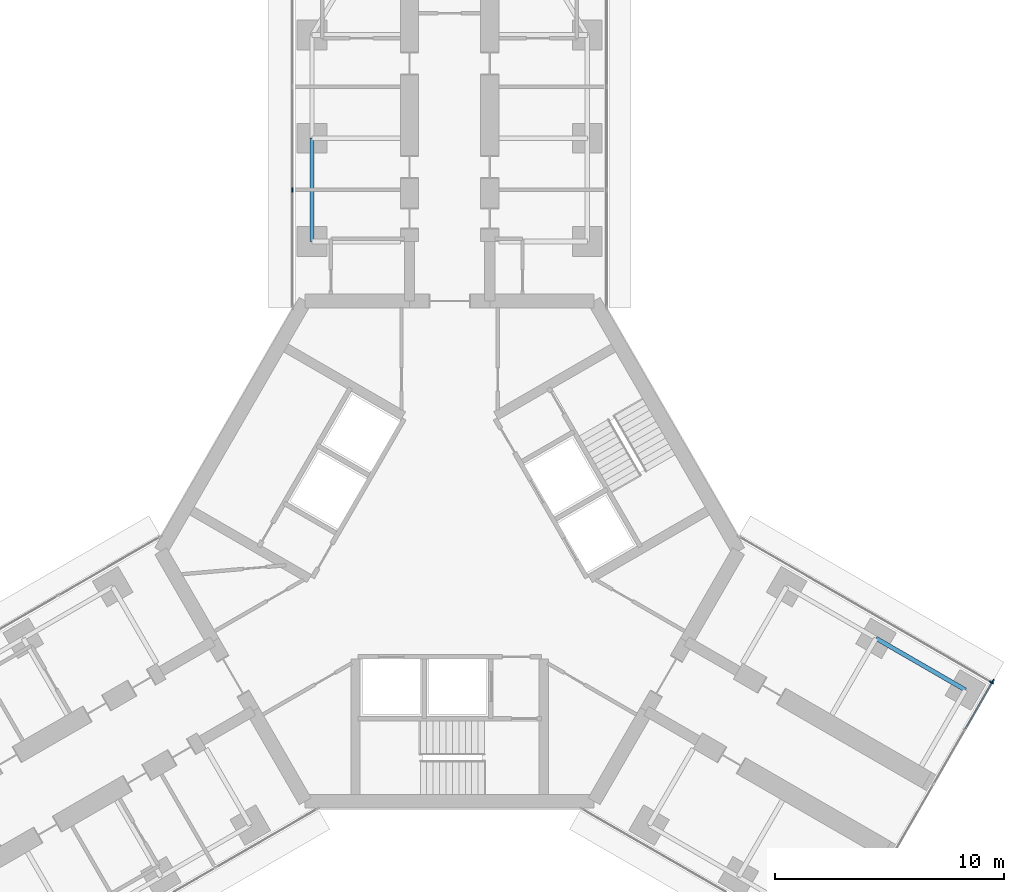
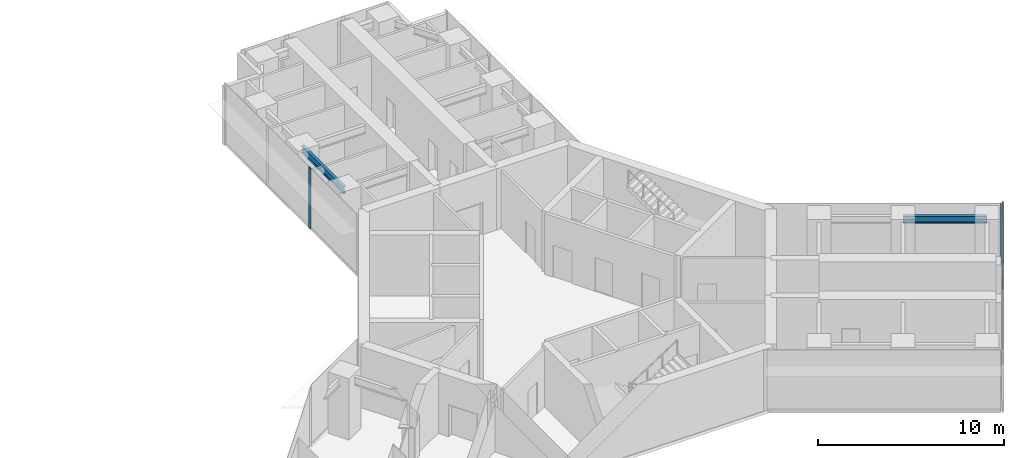
# One storey, part 11 of 22: 4 members, 2 beams, 3 elements without a shape of their own.
"""IFC4 building model written with IfcOpenShell, lengths in metres."""

from ifc_helpers import new_model, si_unit, direction, frame, origin, origin_2d, place, context, subcontext, project, spatial, rectangle, i_section, extrude, material, material_profile, profile_set, type_object, element, aggregate, save


model = new_model("IFC4")

# Units and contexts
model_context = context("Model", 3, precision=1e-05, world=origin(), true_north=direction((0.0, 1.0)))
body_context = subcontext(model_context, "Body", "Model", "MODEL_VIEW")
ifc_project = project(units=[si_unit("LENGTHUNIT", "METRE"), si_unit("AREAUNIT", "SQUARE_METRE"), si_unit("VOLUMEUNIT", "CUBIC_METRE"), si_unit("PLANEANGLEUNIT", "RADIAN"), si_unit("MASSUNIT", "GRAM", prefix="KILO")], contexts=[model_context])

# Site, building, storey
site_placement = place(None, origin())
site = spatial("IfcSite", under=ifc_project, at=site_placement, CompositionType="ELEMENT")
building_placement = place(site_placement, origin())
building = spatial("IfcBuilding", under=site, at=building_placement, Name="Upepo Twin Towers", CompositionType="ELEMENT")
storey_placement = place(building_placement, frame((0.0, 0.0, 133.5)))
storey = spatial("IfcBuildingStorey", under=building, at=storey_placement, Name="L32", CompositionType="ELEMENT", Elevation=133.5)

# Beams
ifc_material_1 = material(Name="Steel S355", Category="steel")
ifc_material_profile_1 = material_profile(ifc_material_1, i_section(OverallWidth=0.1904296875, OverallDepth=0.45703125, WebThickness=0.009033203125, FlangeThickness=0.014404296875, FilletRadius=0.01025390625, at=origin_2d()), Name="UB 457x191x74")
ifc_profile_set_1 = profile_set([ifc_material_profile_1], Name="Steel S355")
beam_type = type_object("IfcBeamType", Name="Beam UB 457x191x74", PredefinedType="BEAM", material=ifc_profile_set_1)
for number, where, z_axis, x_axis, name in (
    (1, (52.5, -4.5, 3.571533203125), (0.0, 1.0, 0.0), (-1.0, 0.0, 0.0), "T2 edge beam AL 13.5-18.0"),
    (2, (77.08837890625, -21.803955078125, 3.571533203125), (0.866031096941, -0.499990139034, 0.0), (0.499990139034, 0.866031096941, 0.0), "T2 edge beam CL 18.0-22.5"),
):
    element("IfcBeam", number, at=place(storey_placement, frame(where, z_axis=z_axis, x_axis=x_axis)), inside=storey, type_object=beam_type, Name=name, PredefinedType="BEAM", context=body_context, shape_type="SweptSolid", body=[
        extrude(i_section(OverallWidth=0.1904296875, OverallDepth=0.45703125, WebThickness=0.009033203125, FlangeThickness=0.014404296875, FilletRadius=0.01025390625, at=origin_2d()), origin(), (0.0, 0.0, 1.0), 4.5),
    ])

# Curtain wall, member
ifc_material_2 = material(Name="Aluminium and fritted glass", Category="aluminium")
curtain_wall_type = type_object("IfcCurtainWallType", Name="Tower curtain wall TW2, fritted glass", PredefinedType="NOTDEFINED", material=ifc_material_2)
curtain_wall_1_placement = place(storey_placement, origin())
curtain_wall_1 = element("IfcCurtainWall", 3, at=curtain_wall_1_placement, inside=storey, type_object=curtain_wall_type, Name="T2 L32 wing A flank L curtain wall", PredefinedType="NOTDEFINED")
ifc_material_3 = material(Name="Aluminium mullion", Category="aluminium")
ifc_material_profile_2 = material_profile(ifc_material_3, rectangle(XDim=0.06494140625, YDim=0.199951171875, at=origin_2d()), Name="MULLION 65x200")
ifc_profile_set_2 = profile_set([ifc_material_profile_2], Name="Aluminium mullion")
member_type_1 = type_object("IfcMemberType", Name="Mullion 65x200 TW2", PredefinedType="MULLION", material=ifc_profile_set_2)
member_1_placement = place(storey_placement, frame((51.64990234375, -2.25, 0.0), z_axis=(0.0, 0.0, 1.0), x_axis=(-1.0, 0.0, 0.0)))
member_1 = element("IfcMember", 4, at=member_1_placement, type_object=member_type_1, Name="T2 L32 wing A flank L curtain wall mullion 2", PredefinedType="MULLION", context=body_context, shape_type="SweptSolid", body=[
    extrude(rectangle(XDim=0.06494140625, YDim=0.199951171875, at=origin_2d()), origin(), (0.0, 0.0, 1.0), 4.0),
])
aggregate(curtain_wall_1, [member_1])

curtain_wall_2_placement = place(storey_placement, origin())
curtain_wall_2 = element("IfcCurtainWall", 5, at=curtain_wall_2_placement, inside=storey, type_object=curtain_wall_type, Name="T2 L32 wing C flank L curtain wall", PredefinedType="NOTDEFINED")
member_2_placement = place(storey_placement, frame((82.11865234375, -23.7265625, 0.0), z_axis=(0.0, 0.0, 1.0), x_axis=(0.50000000792, 0.866025399212, 0.0)))
member_2 = element("IfcMember", 6, at=member_2_placement, type_object=member_type_1, Name="T2 L32 wing C flank L curtain wall mullion 2", PredefinedType="MULLION", context=body_context, shape_type="SweptSolid", body=[
    extrude(rectangle(XDim=0.06494140625, YDim=0.199951171875, at=origin_2d()), origin(), (0.0, 0.0, 1.0), 4.0),
])
aggregate(curtain_wall_2, [member_2])

# Curtain wall, members
curtain_wall_3_placement = place(storey_placement, origin())
curtain_wall_3 = element("IfcCurtainWall", 7, at=curtain_wall_3_placement, inside=storey, type_object=curtain_wall_type, Name="T2 L32 wing C nose curtain wall", PredefinedType="NOTDEFINED")
member_3_placement = place(storey_placement, frame((82.180419921875, -23.684326171875, 0.0), z_axis=(0.0, 0.0, 1.0), x_axis=(-0.866025419745, 0.499999972355, 0.0)))
member_3 = element("IfcMember", 8, at=member_3_placement, type_object=member_type_1, Name="T2 L32 wing C nose curtain wall mullion 6", PredefinedType="MULLION", context=body_context, shape_type="SweptSolid", body=[
    extrude(rectangle(XDim=0.06494140625, YDim=0.199951171875, at=origin_2d()), origin(), (0.0, 0.0, 1.0), 4.0),
])
ifc_material_4 = material(Name="Aluminium transom", Category="aluminium")
ifc_material_profile_3 = material_profile(ifc_material_4, rectangle(XDim=0.06494140625, YDim=0.14990234375, at=origin_2d()), Name="TRANSOM 65x150")
ifc_profile_set_3 = profile_set([ifc_material_profile_3], Name="Aluminium transom")
member_type_2 = type_object("IfcMemberType", Name="Transom 65x150 TW2", PredefinedType="USERDEFINED", material=ifc_profile_set_3)
member_4_placement = place(storey_placement, frame((80.988037109375, -25.749755859375, 0.074951171875), z_axis=(0.50000093428, 0.866024864377, 0.0), x_axis=(-0.866024864377, 0.50000093428, 0.0)))
member_4 = element("IfcMember", 9, at=member_4_placement, type_object=member_type_2, Name="T2 L32 wing C nose curtain wall transom 5", ObjectType="TRANSOM", PredefinedType="USERDEFINED", context=body_context, shape_type="SweptSolid", body=[
    extrude(rectangle(XDim=0.06494140625, YDim=0.14990234375, at=origin_2d()), origin(), (0.0, 0.0, 1.0), 2.3525390625),
])
aggregate(curtain_wall_3, [member_3, member_4])

save(model, "model.ifc")
